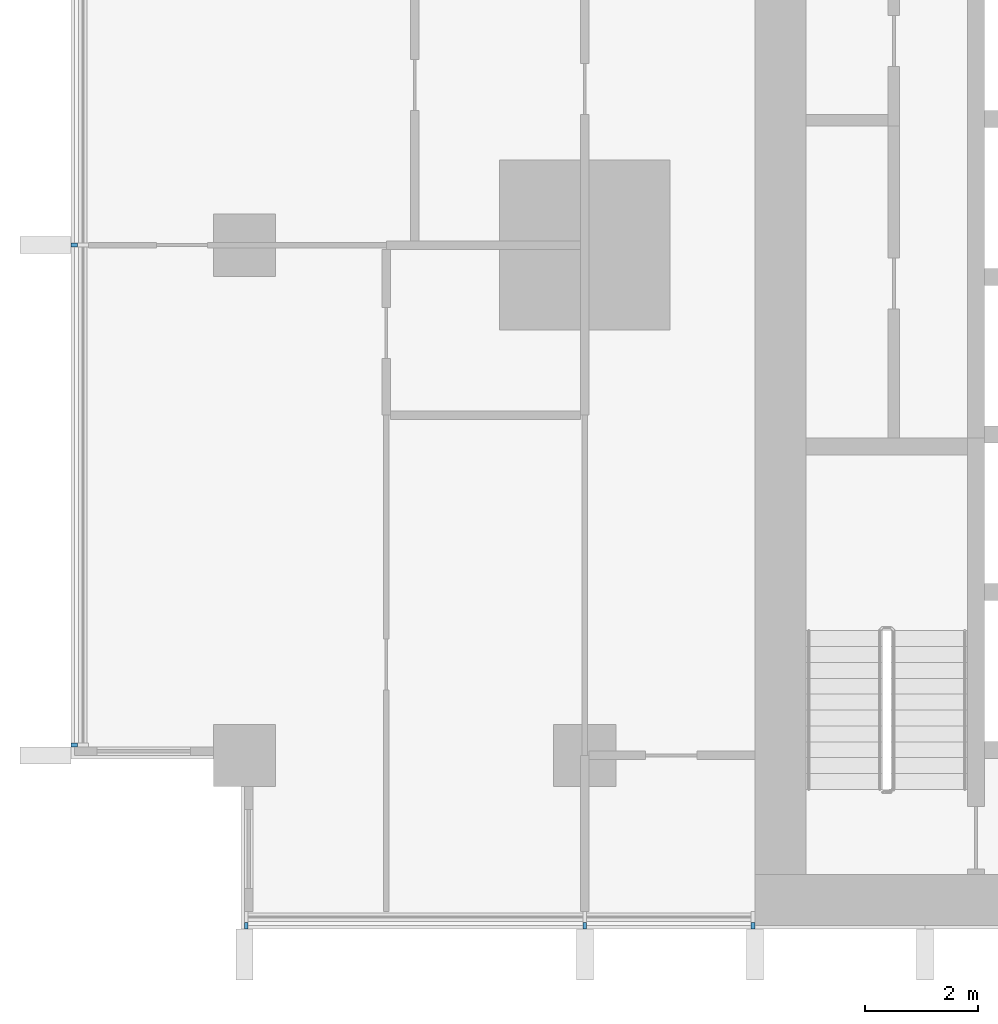
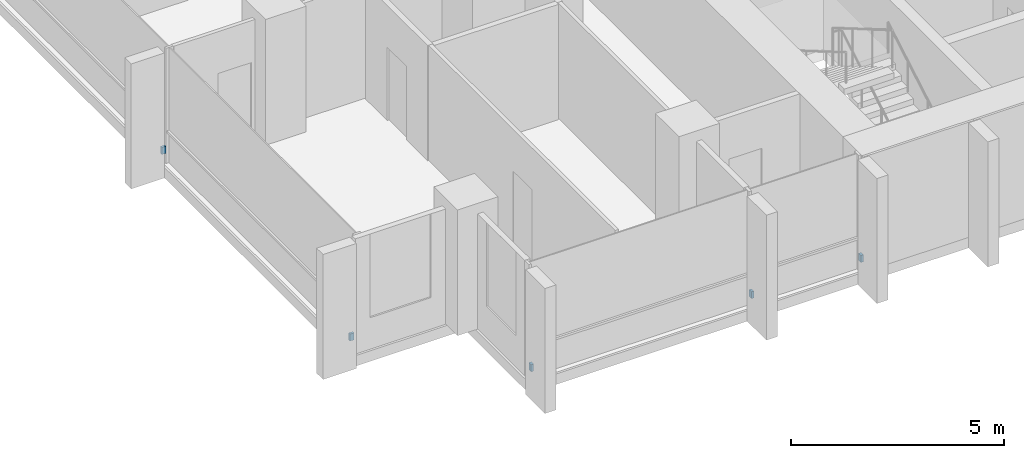
# One storey, part 14 of 18: 5 discrete accessories.
"""IFC4 building model written with IfcOpenShell, lengths in metres."""

from ifc_helpers import new_model, si_unit, direction, frame, origin, origin_2d, place, context, subcontext, project, spatial, rectangle, extrude, material, type_object, element, save


model = new_model("IFC4")

# Units and contexts
model_context = context("Model", 3, precision=1e-05, world=origin(), true_north=direction((0.0, 1.0)))
body_context = subcontext(model_context, "Body", "Model", "MODEL_VIEW")
ifc_project = project(units=[si_unit("LENGTHUNIT", "METRE"), si_unit("AREAUNIT", "SQUARE_METRE"), si_unit("VOLUMEUNIT", "CUBIC_METRE"), si_unit("PLANEANGLEUNIT", "RADIAN"), si_unit("MASSUNIT", "GRAM", prefix="KILO")], contexts=[model_context])

# Site, building, storey
site_placement = place(None, origin())
site = spatial("IfcSite", under=ifc_project, at=site_placement, CompositionType="ELEMENT")
building_placement = place(site_placement, origin())
building = spatial("IfcBuilding", under=site, at=building_placement, Name="Finial Court Residences", CompositionType="ELEMENT")
storey_placement = place(building_placement, frame((0.0, 0.0, 50.5)))
storey = spatial("IfcBuildingStorey", under=building, at=storey_placement, Name="L11", CompositionType="ELEMENT", Elevation=50.5)

# Discrete accessories
ifc_material = material(Name="Stainless steel 316", Category="steel")
discrete_accessory_type = type_object("IfcDiscreteAccessoryType", Name="Fin bracket, stainless steel 65 x 110 x 200", PredefinedType="BRACKET", material=ifc_material)
for number, where, z_axis, x_axis, name in (
    (1, (-22.467529296875, -25.5048828125, 0.2998046875), (0.0, 0.0, 1.0), (1.0, 0.0, 0.0), "E-L11-FIN-S17-BRK"),
    (2, (-16.5, -25.5048828125, 0.2998046875), (0.0, 0.0, 1.0), (1.0, 0.0, 0.0), "E-L11-FIN-S18-BRK"),
    (3, (-13.532470703125, -25.5048828125, 0.2998046875), (0.0, 0.0, 1.0), (1.0, 0.0, 0.0), "E-L11-FIN-S19-BRK"),
):
    element("IfcDiscreteAccessory", number, at=place(storey_placement, frame(where, z_axis=z_axis, x_axis=x_axis)), inside=storey, type_object=discrete_accessory_type, Name=name, PredefinedType="BRACKET", context=body_context, shape_type="SweptSolid", body=[
        extrude(rectangle(XDim=0.06494140625, YDim=0.110107421875, at=origin_2d()), origin(), (0.0, 0.0, 1.0), 0.199951171875),
    ])
for number, where, z_axis, x_axis, name in (
    (4, (-25.5048828125, -22.3173828125, 0.2998046875), (0.0, 0.0, 1.0), (1.0, 0.0, 0.0), "E-L11-FIN-W27-BRK"),
    (5, (-25.5048828125, -13.5, 0.2998046875), (0.0, 0.0, 1.0), (1.0, 0.0, 0.0), "E-L11-FIN-W28-BRK"),
):
    element("IfcDiscreteAccessory", number, at=place(storey_placement, frame(where, z_axis=z_axis, x_axis=x_axis)), inside=storey, type_object=discrete_accessory_type, Name=name, PredefinedType="BRACKET", context=body_context, shape_type="SweptSolid", body=[
        extrude(rectangle(XDim=0.110107421875, YDim=0.06494140625, at=origin_2d()), origin(), (0.0, 0.0, 1.0), 0.199951171875),
    ])

save(model, "model.ifc")
